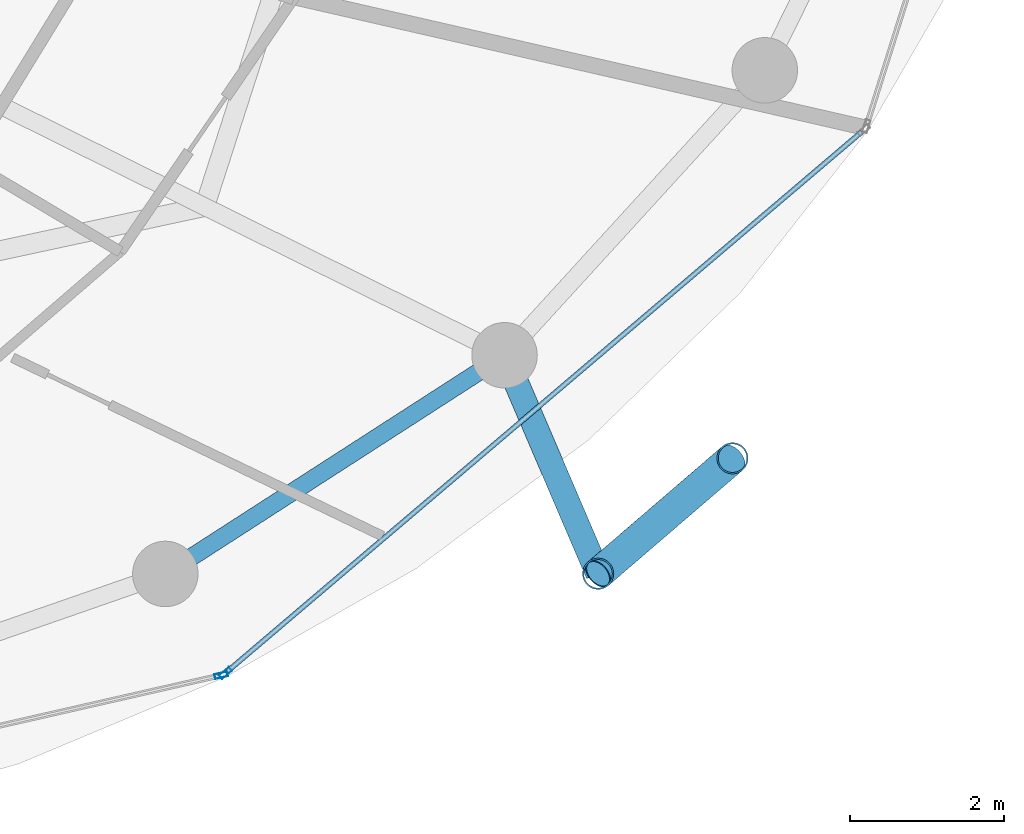
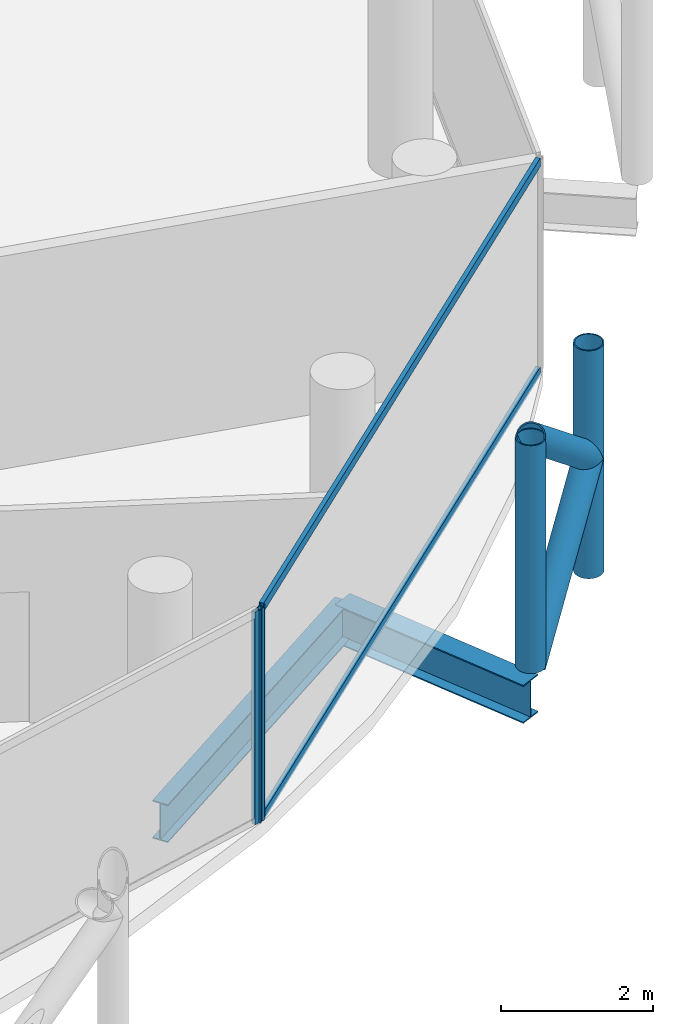
# One storey, part 11 of 27: 8 members, 2 beams, 2 elements without a shape of their own.
"""IFC4 building model written with IfcOpenShell, lengths in metres."""

from ifc_helpers import new_model, si_unit, direction, frame, origin, origin_2d, place, context, subcontext, project, spatial, hollow_rectangle, hollow_circle, i_section, extrude, material, layer, layer_set, material_profile, profile_set, type_object, element, aggregate, save


model = new_model("IFC4")

# Units and contexts
model_context = context("Model", 3, precision=1e-05, world=origin(), true_north=direction((0.0, 1.0)))
body_context = subcontext(model_context, "Body", "Model", "MODEL_VIEW")
ifc_project = project(units=[si_unit("LENGTHUNIT", "METRE"), si_unit("AREAUNIT", "SQUARE_METRE"), si_unit("VOLUMEUNIT", "CUBIC_METRE"), si_unit("PLANEANGLEUNIT", "RADIAN"), si_unit("MASSUNIT", "GRAM", prefix="KILO")], contexts=[model_context])

# Site, building, storey
site_placement = place(None, origin())
site = spatial("IfcSite", under=ifc_project, at=site_placement, CompositionType="ELEMENT")
building_placement = place(site_placement, origin())
building = spatial("IfcBuilding", under=site, at=building_placement, Name="Nuhasar Tower", CompositionType="ELEMENT")
storey_placement = place(building_placement, frame((0.0, 0.0, 211.800048828125)))
storey = spatial("IfcBuildingStorey", under=building, at=storey_placement, Name="L51", CompositionType="ELEMENT", Elevation=211.800048828125)

# Beams
ifc_material_1 = material(Name="Steel S355", Category="steel")
ifc_material_profile_1 = material_profile(ifc_material_1, i_section(OverallWidth=0.22802734375, OverallDepth=0.60791015625, WebThickness=0.01123046875, FlangeThickness=0.017333984375, at=origin_2d()), Name="W24X76")
ifc_profile_set_1 = profile_set([ifc_material_profile_1], Name="Steel S355")
beam_type_1 = type_object("IfcBeamType", Name="BM-RING-W24X76", PredefinedType="SPANDREL", material=ifc_profile_set_1)
beam_1_placement = place(storey_placement, frame((49.625, 11.341064453125, -0.5439453125), z_axis=(0.840502144969, 0.541808217272, 0.0), x_axis=(-0.541808217272, 0.840502144969, 0.0)))
element("IfcBeam", 1, at=beam_1_placement, inside=storey, type_object=beam_type_1, Name="L51 Perimeter Ring Spandrel 21", PredefinedType="SPANDREL", context=body_context, shape_type="SweptSolid", body=[
    extrude(i_section(OverallWidth=0.22802734375, OverallDepth=0.60791015625, WebThickness=0.01123046875, FlangeThickness=0.017333984375, at=origin_2d()), origin(), (0.0, 0.0, 1.0), 5.236083984375),
])
ifc_material_profile_2 = material_profile(ifc_material_1, i_section(OverallWidth=0.323974609375, OverallDepth=0.611083984375, WebThickness=0.0126953125, FlangeThickness=0.01904296875, at=origin_2d()), Name="W24X104")
ifc_profile_set_2 = profile_set([ifc_material_profile_2], Name="Steel S355")
beam_type_2 = type_object("IfcBeamType", Name="BM-TIE-W24X104", PredefinedType="BEAM", material=ifc_profile_set_2)
beam_2_placement = place(storey_placement, frame((54.02587890625, 14.177978515625, -0.545166015625), z_axis=(0.393680429682, -0.919247365667, 0.0), x_axis=(0.919247365667, 0.393680429682, 0.0)))
element("IfcBeam", 2, at=beam_2_placement, inside=storey, type_object=beam_type_2, Name="L51 Exoskeleton Node Tie Beam 11", PredefinedType="BEAM", context=body_context, shape_type="SweptSolid", body=[
    extrude(i_section(OverallWidth=0.323974609375, OverallDepth=0.611083984375, WebThickness=0.0126953125, FlangeThickness=0.01904296875, at=origin_2d()), origin(), (0.0, 0.0, 1.0), 3.083984375),
])

# Curtain wall, member
ifc_material_2 = material(Name="Aluminium 6063-T6", Category="aluminium")
ifc_layer = layer(ifc_material_2, 0.18994140625)
ifc_layer_set = layer_set([ifc_layer], Name="Aluminium 6063-T6")
curtain_wall_type = type_object("IfcCurtainWallType", Name="CW-Z3-RES", PredefinedType="NOTDEFINED", material=ifc_layer_set)
curtain_wall_1_placement = place(storey_placement, origin())
curtain_wall_1 = element("IfcCurtainWall", 3, at=curtain_wall_1_placement, inside=storey, type_object=curtain_wall_type, Name="L51 Unitised Curtain Wall 10", PredefinedType="NOTDEFINED")
ifc_material_profile_3 = material_profile(ifc_material_2, hollow_rectangle(XDim=0.06494140625, YDim=0.169921875, WallThickness=0.0048828125, at=origin_2d()), Name="CWM-4")
ifc_profile_set_3 = profile_set([ifc_material_profile_3], Name="Aluminium 6063-T6")
member_type_1 = type_object("IfcMemberType", Name="CW-MUL-S4", PredefinedType="MULLION", material=ifc_profile_set_3)
member_1_placement = place(storey_placement, frame((50.348388671875, 10.02685546875, 0.0), z_axis=(0.0, 0.0, 1.0), x_axis=(-0.222243176313, 0.974991266926, 0.0)))
member_1 = element("IfcMember", 4, at=member_1_placement, type_object=member_type_1, Name="CW-Z3 mullion 2", PredefinedType="MULLION", context=body_context, shape_type="SweptSolid", body=[
    extrude(hollow_rectangle(XDim=0.06494140625, YDim=0.169921875, WallThickness=0.0048828125, at=origin_2d()), origin(), (0.0, 0.0, 1.0), 3.409912109375),
])
aggregate(curtain_wall_1, [member_1])

# Curtain wall, members
curtain_wall_2_placement = place(storey_placement, origin())
curtain_wall_2 = element("IfcCurtainWall", 5, at=curtain_wall_2_placement, inside=storey, type_object=curtain_wall_type, Name="L51 Unitised Curtain Wall 11", PredefinedType="NOTDEFINED")
member_2_placement = place(storey_placement, frame((50.40478515625, 10.05517578125, 0.0), z_axis=(0.0, 0.0, 1.0), x_axis=(-0.64789521578, 0.761729472562, 0.0)))
member_2 = element("IfcMember", 6, at=member_2_placement, type_object=member_type_1, Name="CW-Z3 mullion 1", PredefinedType="MULLION", context=body_context, shape_type="SweptSolid", body=[
    extrude(hollow_rectangle(XDim=0.06494140625, YDim=0.169921875, WallThickness=0.0048828125, at=origin_2d()), origin(), (0.0, 0.0, 1.0), 3.409912109375),
])
ifc_material_profile_4 = material_profile(ifc_material_2, hollow_rectangle(XDim=0.06494140625, YDim=0.139892578125, WallThickness=0.00439453125, at=origin_2d()), Name="CWT-4")
ifc_profile_set_4 = profile_set([ifc_material_profile_4], Name="Aluminium 6063-T6")
member_type_2 = type_object("IfcMemberType", Name="CW-TRN-S4", PredefinedType="USERDEFINED", material=ifc_profile_set_4)
member_3_placement = place(storey_placement, frame((50.429443359375, 10.076171875, 0.032470703125), z_axis=(0.761730809511, 0.647893643928, 0.0), x_axis=(-0.647893643928, 0.761730809511, 0.0)))
member_3 = element("IfcMember", 7, at=member_3_placement, type_object=member_type_2, Name="CW-Z3 transom 1.1", ObjectType="TRANSOM", PredefinedType="USERDEFINED", context=body_context, shape_type="SweptSolid", body=[
    extrude(hollow_rectangle(XDim=0.06494140625, YDim=0.139892578125, WallThickness=0.00439453125, at=origin_2d()), origin(), (0.0, 0.0, 1.0), 10.806884765625),
])
member_4_placement = place(storey_placement, frame((50.429443359375, 10.076171875, 3.37744140625), z_axis=(0.761730809511, 0.647893643928, 0.0), x_axis=(-0.647893643928, 0.761730809511, 0.0)))
member_4 = element("IfcMember", 8, at=member_4_placement, type_object=member_type_2, Name="CW-Z3 transom 1.2", ObjectType="TRANSOM", PredefinedType="USERDEFINED", context=body_context, shape_type="SweptSolid", body=[
    extrude(hollow_rectangle(XDim=0.06494140625, YDim=0.139892578125, WallThickness=0.00439453125, at=origin_2d()), origin(), (0.0, 0.0, 1.0), 10.806884765625),
])
aggregate(curtain_wall_2, [member_2, member_3, member_4])

# Members
ifc_material_3 = material(Name="Steel S460", Category="steel")
ifc_material_profile_5 = material_profile(ifc_material_3, hollow_circle(Radius=0.203125, WallThickness=0.01904296875, at=origin_2d()), Name="HSS406.4X19.1")
ifc_profile_set_5 = profile_set([ifc_material_profile_5], Name="Steel S460")
member_type_3 = type_object("IfcMemberType", Name="EXO-BRONZE-406", PredefinedType="BRACE", material=ifc_profile_set_5)
for number, where, z_axis, x_axis, name in (
    (9, (55.239990234375, 11.343017578125, 0.0), (0.0, 0.0, 1.0), (1.0, 0.0, 0.0), "L51 Exoskeleton Chord Column EC-11A"),
    (10, (56.98388671875, 12.842041015625, 0.0), (0.0, 0.0, 1.0), (1.0, 0.0, 0.0), "L51 Exoskeleton Chord Column EC-11B"),
):
    element("IfcMember", number, at=place(storey_placement, frame(where, z_axis=z_axis, x_axis=x_axis)), inside=storey, type_object=member_type_3, Name=name, PredefinedType="BRACE", context=body_context, shape_type="SweptSolid", body=[
        extrude(hollow_circle(Radius=0.203125, WallThickness=0.01904296875, at=origin_2d()), origin(), (0.0, 0.0, 1.0), 3.64990234375),
    ])
for number, where, z_axis, x_axis, name in (
    (11, (55.239990234375, 11.343017578125, 0.0), (0.594018535389, 0.510608120858, 0.621627964725), (-0.65185738425, 0.758341579104, 0.0), "L51 Bronze Diagrid Brace W1-11"),
    (12, (56.98388671875, 12.842041015625, 1.824951171875), (-0.594018535389, -0.510608120858, 0.621627964725), (0.65185738425, -0.758341579104, 0.0), "L51 Bronze Diagrid Brace W2-11"),
):
    element("IfcMember", number, at=place(storey_placement, frame(where, z_axis=z_axis, x_axis=x_axis)), inside=storey, type_object=member_type_3, Name=name, PredefinedType="BRACE", context=body_context, shape_type="SweptSolid", body=[
        extrude(hollow_circle(Radius=0.203125, WallThickness=0.01904296875, at=origin_2d()), origin(), (0.0, 0.0, 1.0), 2.935791015625),
    ])

save(model, "model.ifc")
